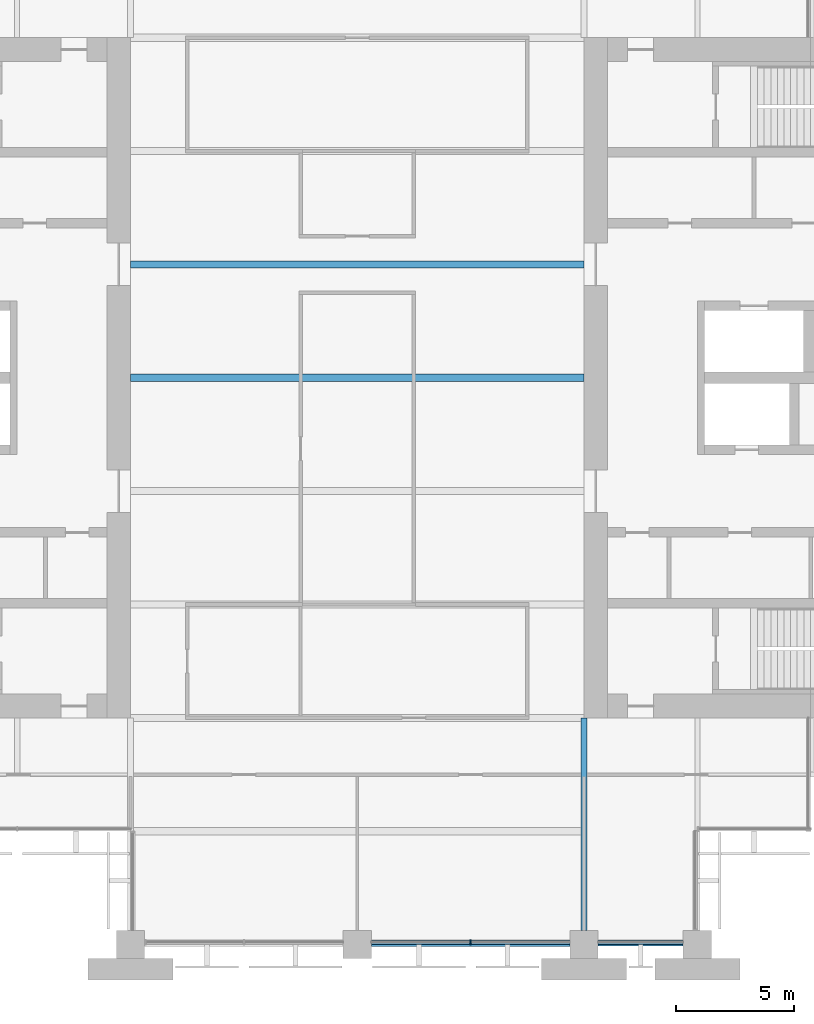
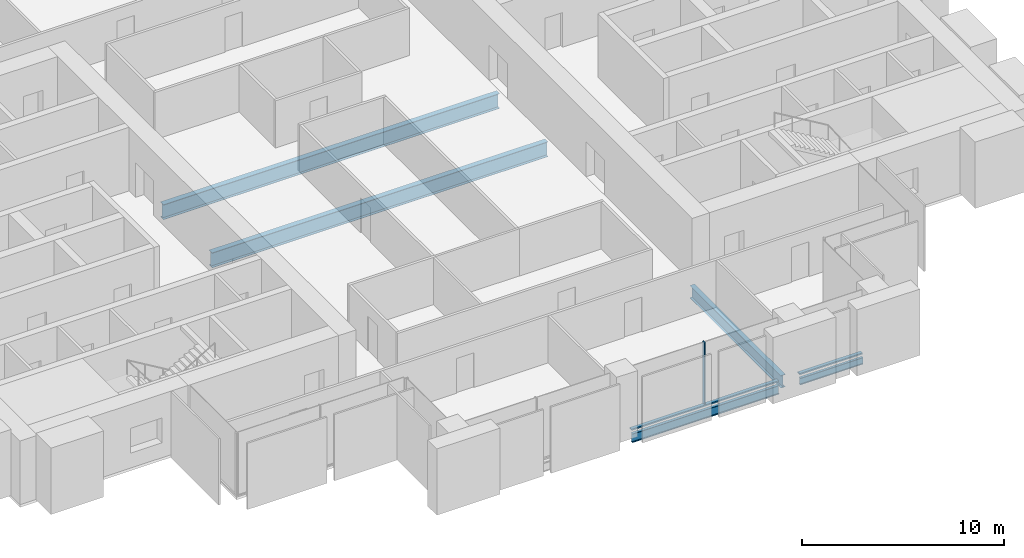
# One storey, part 3 of 14: 5 beams, 3 members, 1 element without a shape of its own.
"""IFC4 building model written with IfcOpenShell, lengths in metres."""

from ifc_helpers import new_model, si_unit, direction, frame, origin, origin_2d, place, context, subcontext, project, spatial, rectangle, i_section, extrude, material, material_profile, profile_set, type_object, element, aggregate, save


model = new_model("IFC4")

# Units and contexts
model_context = context("Model", 3, precision=1e-05, world=origin(), true_north=direction((0.0, 1.0)))
body_context = subcontext(model_context, "Body", "Model", "MODEL_VIEW")
ifc_project = project(units=[si_unit("LENGTHUNIT", "METRE"), si_unit("AREAUNIT", "SQUARE_METRE"), si_unit("VOLUMEUNIT", "CUBIC_METRE"), si_unit("PLANEANGLEUNIT", "RADIAN"), si_unit("MASSUNIT", "GRAM", prefix="KILO")], contexts=[model_context])

# Site, building, storey
site_placement = place(None, origin())
site = spatial("IfcSite", under=ifc_project, at=site_placement, CompositionType="ELEMENT")
building_placement = place(site_placement, origin())
building = spatial("IfcBuilding", under=site, at=building_placement, Name="Baori Bourse Tower", CompositionType="ELEMENT")
storey_placement = place(building_placement, frame((0.0, 0.0, 160.10009765625)))
storey = spatial("IfcBuildingStorey", under=building, at=storey_placement, Name="L35", CompositionType="ELEMENT", Elevation=160.10009765625)

# Curtain wall, members
ifc_material_1 = material(Name="Pale anodised aluminium", Category="aluminium")
curtain_wall_type = type_object("IfcCurtainWallType", Name="CW1 Curtain wall", PredefinedType="NOTDEFINED", material=ifc_material_1)
curtain_wall_placement = place(storey_placement, origin())
curtain_wall = element("IfcCurtainWall", 1, at=curtain_wall_placement, inside=storey, type_object=curtain_wall_type, Name="Curtain wall CW1 L35 11", PredefinedType="NOTDEFINED")
ifc_material_2 = material(Name="Pale anodised aluminium", Category="aluminium")
ifc_material_profile_1 = material_profile(ifc_material_2, rectangle(XDim=0.199951171875, YDim=0.06005859375, at=origin_2d()), Name="Mullion 60x200")
ifc_profile_set_1 = profile_set([ifc_material_profile_1], Name="Pale anodised aluminium")
member_type_1 = type_object("IfcMemberType", Name="CW1 Curtain wall mullion", PredefinedType="MULLION", material=ifc_profile_set_1)
member_1_placement = place(storey_placement, frame((33.60009765625, 0.10009765625, 0.079833984375), z_axis=(0.0, 0.0, 1.0), x_axis=(0.0, 1.0, 0.0)))
member_1 = element("IfcMember", 2, at=member_1_placement, type_object=member_type_1, Name="Curtain wall CW1 mullion", PredefinedType="MULLION", context=body_context, shape_type="SweptSolid", body=[
    extrude(rectangle(XDim=0.199951171875, YDim=0.06005859375, at=origin_2d()), origin(), (0.0, 0.0, 1.0), 3.760009765625),
])
ifc_material_3 = material(Name="Pale anodised aluminium", Category="aluminium")
ifc_material_profile_2 = material_profile(ifc_material_3, rectangle(XDim=0.199951171875, YDim=0.080078125, at=origin_2d()), Name="Transom 80x200")
ifc_profile_set_2 = profile_set([ifc_material_profile_2], Name="Pale anodised aluminium")
member_type_2 = type_object("IfcMemberType", Name="CW1 Curtain wall transom", PredefinedType="USERDEFINED", material=ifc_profile_set_2)
member_2_placement = place(storey_placement, frame((29.39990234375, 0.10009765625, 0.039794921875), z_axis=(1.0, 0.0, 0.0), x_axis=(0.0, 1.0, 0.0)))
member_2 = element("IfcMember", 3, at=member_2_placement, type_object=member_type_2, Name="Curtain wall CW1 sill rail", ObjectType="TRANSOM", PredefinedType="USERDEFINED", context=body_context, shape_type="SweptSolid", body=[
    extrude(rectangle(XDim=0.199951171875, YDim=0.080078125, at=origin_2d()), origin(), (0.0, 0.0, 1.0), 8.400146484375),
])
member_3_placement = place(storey_placement, frame((39.0, 0.10009765625, 0.039794921875), z_axis=(1.0, 0.0, 0.0), x_axis=(0.0, 1.0, 0.0)))
member_3 = element("IfcMember", 4, at=member_3_placement, type_object=member_type_2, Name="Curtain wall CW1 sill rail", ObjectType="TRANSOM", PredefinedType="USERDEFINED", context=body_context, shape_type="SweptSolid", body=[
    extrude(rectangle(XDim=0.199951171875, YDim=0.080078125, at=origin_2d()), origin(), (0.0, 0.0, 1.0), 3.60009765625),
])
aggregate(curtain_wall, [member_2, member_1, member_3])

# Beams
ifc_material_4 = material(Name="Steel A992 Gr 50", Category="steel")
ifc_material_profile_3 = material_profile(ifc_material_4, i_section(OverallWidth=0.140380859375, OverallDepth=0.40380859375, WebThickness=0.007080078125, FlangeThickness=0.01123046875, at=origin_2d()), Name="W16x31")
ifc_profile_set_3 = profile_set([ifc_material_profile_3], Name="Steel A992 Gr 50")
beam_type_1 = type_object("IfcBeamType", Name="Edge beam W16x31", PredefinedType="BEAM", material=ifc_profile_set_3)
beam_1_placement = place(storey_placement, frame((39.0, 0.0, -0.362060546875), z_axis=(1.0, 0.0, 0.0), x_axis=(0.0, 1.0, 0.0)))
element("IfcBeam", 5, at=beam_1_placement, inside=storey, type_object=beam_type_1, Name="Edge beam L35", PredefinedType="BEAM", context=body_context, shape_type="SweptSolid", body=[
    extrude(i_section(OverallWidth=0.140380859375, OverallDepth=0.40380859375, WebThickness=0.007080078125, FlangeThickness=0.01123046875, at=origin_2d()), origin(), (0.0, 0.0, 1.0), 3.60009765625),
])
ifc_material_5 = material(Name="Steel A992 Gr 50", Category="steel")
ifc_material_profile_4 = material_profile(ifc_material_5, i_section(OverallWidth=0.1650390625, OverallDepth=0.52587890625, WebThickness=0.0087890625, FlangeThickness=0.011474609375, at=origin_2d()), Name="W21x44")
ifc_profile_set_4 = profile_set([ifc_material_profile_4], Name="Steel A992 Gr 50")
beam_type_2 = type_object("IfcBeamType", Name="Edge beam W21x44", PredefinedType="BEAM", material=ifc_profile_set_4)
beam_2_placement = place(storey_placement, frame((29.39990234375, 0.0, -0.423095703125), z_axis=(1.0, 0.0, 0.0), x_axis=(0.0, 1.0, 0.0)))
element("IfcBeam", 6, at=beam_2_placement, inside=storey, type_object=beam_type_2, Name="Edge beam L35", PredefinedType="BEAM", context=body_context, shape_type="SweptSolid", body=[
    extrude(i_section(OverallWidth=0.1650390625, OverallDepth=0.52587890625, WebThickness=0.0087890625, FlangeThickness=0.011474609375, at=origin_2d()), origin(), (0.0, 0.0, 1.0), 8.400146484375),
])
ifc_material_6 = material(Name="Steel A992 Gr 50", Category="steel")
ifc_material_profile_5 = material_profile(ifc_material_6, i_section(OverallWidth=0.3046875, OverallDepth=0.904296875, WebThickness=0.01513671875, FlangeThickness=0.02001953125, at=origin_2d()), Name="W36x135")
ifc_profile_set_5 = profile_set([ifc_material_profile_5], Name="Steel A992 Gr 50")
beam_type_3 = type_object("IfcBeamType", Name="Floor beam W36x135", PredefinedType="BEAM", material=ifc_profile_set_5)
for number, where, z_axis, x_axis, name in (
    (7, (19.199951171875, 24.0, -0.6123046875), (1.0, 0.0, 0.0), (0.0, 1.0, 0.0), "Floor beam L35"),
    (8, (19.199951171875, 28.800048828125, -0.6123046875), (1.0, 0.0, 0.0), (0.0, 1.0, 0.0), "Floor beam L35"),
):
    element("IfcBeam", number, at=place(storey_placement, frame(where, z_axis=z_axis, x_axis=x_axis)), inside=storey, type_object=beam_type_3, Name=name, PredefinedType="BEAM", context=body_context, shape_type="SweptSolid", body=[
        extrude(i_section(OverallWidth=0.3046875, OverallDepth=0.904296875, WebThickness=0.01513671875, FlangeThickness=0.02001953125, at=origin_2d()), origin(), (0.0, 0.0, 1.0), 19.199951171875),
    ])
ifc_material_7 = material(Name="Steel A992 Gr 50", Category="steel")
ifc_material_profile_6 = material_profile(ifc_material_7, i_section(OverallWidth=0.26416015625, OverallDepth=0.749267578125, WebThickness=0.011962890625, FlangeThickness=0.015380859375, at=origin_2d()), Name="W30x90")
ifc_profile_set_6 = profile_set([ifc_material_profile_6], Name="Steel A992 Gr 50")
beam_type_4 = type_object("IfcBeamType", Name="Girder W30x90", PredefinedType="BEAM", material=ifc_profile_set_6)
beam_3_placement = place(storey_placement, frame((38.39990234375, 0.60009765625, -0.53466796875), z_axis=(0.0, 1.0, 0.0), x_axis=(-1.0, 0.0, 0.0)))
element("IfcBeam", 9, at=beam_3_placement, inside=storey, type_object=beam_type_4, Name="Girder L35", PredefinedType="BEAM", context=body_context, shape_type="SweptSolid", body=[
    extrude(i_section(OverallWidth=0.26416015625, OverallDepth=0.749267578125, WebThickness=0.011962890625, FlangeThickness=0.015380859375, at=origin_2d()), origin(), (0.0, 0.0, 1.0), 9.0),
])

save(model, "model.ifc")
